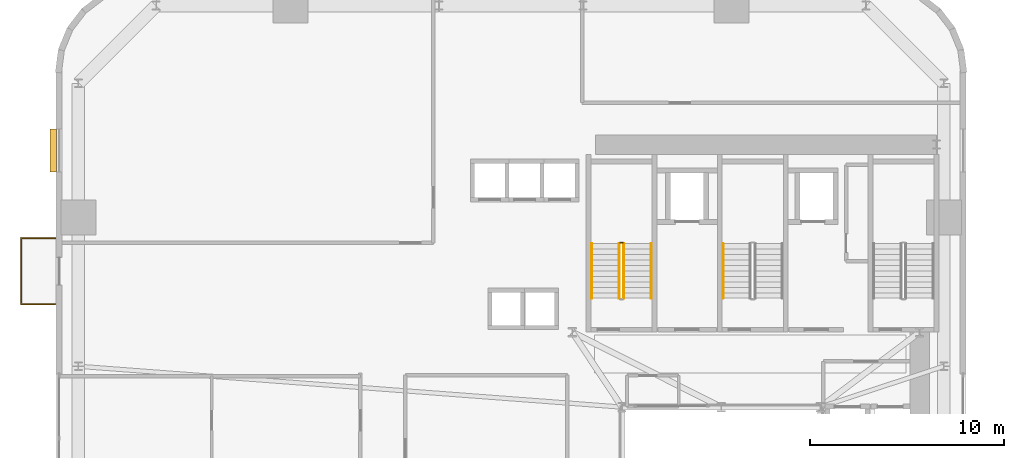
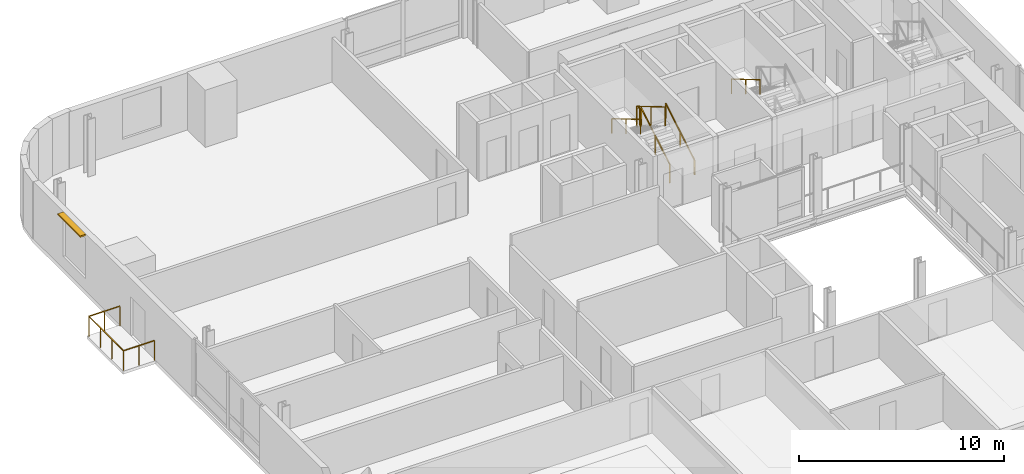
# One storey, part 12 of 13: 7 railings, 1 shading device.
"""IFC4 building model written with IfcOpenShell, lengths in metres."""

import ifcopenshell
import ifcopenshell.guid

model = None  # the IFC model being written
_history = None  # IfcOwnerHistory: only IFC2X3 demands one
_inside = {}  # id of a spatial element -> (the spatial element, [elements in it])
_under = {}  # id of a project, library or spatial element -> (it, [spatial elements below it])
_declared = {}  # id of a project -> (the project, [libraries it declares])
_typed = {}  # id of a type object -> (the type object, [elements of that type])
_made_of = {}  # id of a material, layer set ... -> (it, [elements and type objects made of it])


def new_model(schema):
    """Start an empty IFC model of exactly this schema.

    Asked for "IFC4X3", IfcOpenShell would pick the latest addendum, in which some entities
    have other attributes; the version numbers below select the first issue.
    IFC2X3 requires an IfcOwnerHistory on every rooted entity: one is made here for all.
    """
    global model, _history
    if schema == "IFC4X3":
        model = ifcopenshell.file(schema_version=(4, 3, 0, 0))
    else:
        model = ifcopenshell.file(schema=schema)
    _inside.clear()
    _under.clear()
    _declared.clear()
    _typed.clear()
    _made_of.clear()
    _history = None
    if model.schema == "IFC2X3":
        org = make("IfcOrganization", Name="unknown")
        user = make(
            "IfcPersonAndOrganization",
            ThePerson=make("IfcPerson", FamilyName="unknown"),
            TheOrganization=org,
        )
        app = make(
            "IfcApplication",
            ApplicationDeveloper=org,
            Version="unknown",
            ApplicationFullName="unknown",
            ApplicationIdentifier="unknown",
        )
        _history = make(
            "IfcOwnerHistory",
            OwningUser=user,
            OwningApplication=app,
            ChangeAction="ADDED",
            CreationDate=0,
        )
    return model


def make(cls, **values):
    """One entity of the class cls with the attributes given. An attribute that is None is left unset."""
    return model.create_entity(
        cls, **{name: value for name, value in values.items() if value is not None}
    )


def rooted(cls, **values):
    """An entity with a GlobalId (a new one), such as an element, a storey or a relation."""
    return make(cls, GlobalId=ifcopenshell.guid.new(), OwnerHistory=_history, **values)


def si_unit(unit_type, name, prefix=None):
    """IfcSIUnit, for example si_unit("LENGTHUNIT", "METRE", prefix="MILLI")."""
    return make("IfcSIUnit", UnitType=unit_type, Prefix=prefix, Name=name)


def assignment(units):
    """IfcUnitAssignment: the units of a project."""
    return None if units is None else make("IfcUnitAssignment", Units=units)


def point(xyz):
    """IfcCartesianPoint."""
    return None if xyz is None else make("IfcCartesianPoint", Coordinates=xyz)


def direction(xyz):
    """IfcDirection."""
    return None if xyz is None else make("IfcDirection", DirectionRatios=xyz)


def frame(location, z_axis=None, x_axis=None):
    """IfcAxis2Placement3D, a coordinate frame: its origin and axes. An axis left out is left unset."""
    return make(
        "IfcAxis2Placement3D",
        Location=point(location),
        Axis=direction(z_axis),
        RefDirection=direction(x_axis),
    )


def frame_2d(location, x_axis=None):
    """IfcAxis2Placement2D, a coordinate frame in the plane: its origin and x axis."""
    return make(
        "IfcAxis2Placement2D", Location=point(location), RefDirection=direction(x_axis)
    )


def origin():
    """The frame at (0, 0, 0) with its axes left unset."""
    return frame((0.0, 0.0, 0.0))


def origin_2d():
    """The frame at (0, 0) in the plane with its x axis left unset."""
    return frame_2d((0.0, 0.0))


def place(relative_to, where):
    """IfcLocalPlacement: puts the frame where relative to a parent placement (None: the world)."""
    return make(
        "IfcLocalPlacement", PlacementRelTo=relative_to, RelativePlacement=where
    )


def context(
    kind, dimensions, precision=None, world=None, true_north=None, identifier=None
):
    """IfcGeometricRepresentationContext, for example the 3D "Model" context."""
    return make(
        "IfcGeometricRepresentationContext",
        ContextIdentifier=identifier,
        ContextType=kind,
        CoordinateSpaceDimension=dimensions,
        Precision=precision,
        WorldCoordinateSystem=world,
        TrueNorth=true_north,
    )


def subcontext(parent, identifier, kind, view, scale=None):
    """IfcGeometricRepresentationSubContext, for example "Body" below "Model"."""
    return make(
        "IfcGeometricRepresentationSubContext",
        ContextIdentifier=identifier,
        ContextType=kind,
        ParentContext=parent,
        TargetScale=scale,
        TargetView=view,
    )


def project(units=None, contexts=None):
    """IfcProject with its units and contexts."""
    return rooted(
        "IfcProject",
        Name="project",
        RepresentationContexts=contexts,
        UnitsInContext=assignment(units),
    )


def spatial(cls, under=None, at=None, **own):
    """A site, building, storey or space (cls), placed at a placement, below another one or the project."""
    s = rooted(cls, ObjectPlacement=at, **own)
    if under is not None:
        _under.setdefault(under.id(), (under, []))[1].append(s)
    return s


def profile(cls, at=None, kind="AREA", **sizes):
    """A parametric profile (cls). Its sizes go by their IFC names, for example OverallWidth=200.0."""
    return make(cls, ProfileType=kind, Position=at, **sizes)


def rectangle(**sizes):
    """IfcRectangleProfileDef."""
    return profile("IfcRectangleProfileDef", **sizes)


def extrude(swept, where, along, depth):
    """IfcExtrudedAreaSolid: the profile swept, set in the frame where, extruded along a direction by depth."""
    return make(
        "IfcExtrudedAreaSolid",
        SweptArea=swept,
        Position=where,
        ExtrudedDirection=direction(along),
        Depth=depth,
    )


def shape(context_of_items, identifier, shape_type, items):
    """IfcShapeRepresentation: the items that make up one representation, for example the "Body"."""
    return make(
        "IfcShapeRepresentation",
        ContextOfItems=context_of_items,
        RepresentationIdentifier=identifier,
        RepresentationType=shape_type,
        Items=items,
    )


def source(mapping_origin, context_of_items, identifier, shape_type, items):
    """IfcRepresentationMap: a shape defined once, which mapped items show again and again."""
    return make(
        "IfcRepresentationMap",
        MappingOrigin=mapping_origin,
        MappedRepresentation=shape(context_of_items, identifier, shape_type, items),
    )


def transform(
    local_origin,
    x_axis=None,
    y_axis=None,
    z_axis=None,
    scale=None,
    scale2=None,
    scale3=None,
    uniform=True,
):
    """IfcCartesianTransformationOperator3D, or its non-uniform kind. x_axis, y_axis, z_axis: its Axis1, 2, 3."""
    if uniform:
        return make(
            "IfcCartesianTransformationOperator3D",
            Axis1=direction(x_axis),
            Axis2=direction(y_axis),
            LocalOrigin=point(local_origin),
            Scale=scale,
            Axis3=direction(z_axis),
        )
    return make(
        "IfcCartesianTransformationOperator3DnonUniform",
        Axis1=direction(x_axis),
        Axis2=direction(y_axis),
        LocalOrigin=point(local_origin),
        Scale=scale,
        Axis3=direction(z_axis),
        Scale2=scale2,
        Scale3=scale3,
    )


def mapped(mapping_source, mapping_target):
    """IfcMappedItem: shows the shape of a source again, moved by a transform."""
    return make(
        "IfcMappedItem", MappingSource=mapping_source, MappingTarget=mapping_target
    )


def material(Name=None, Category=None):
    """IfcMaterial."""
    return make("IfcMaterial", Name=Name, Category=Category)


def layer(
    of_material, thickness, ventilated=None, Name=None, Category=None, Priority=None
):
    """IfcMaterialLayer: one layer of a wall or slab, of a material (None: an air gap)."""
    return make(
        "IfcMaterialLayer",
        Material=of_material,
        LayerThickness=thickness,
        IsVentilated=ventilated,
        Name=Name,
        Category=Category,
        Priority=Priority,
    )


def layer_set(layers, Name=None):
    """IfcMaterialLayerSet."""
    return make("IfcMaterialLayerSet", MaterialLayers=layers, LayerSetName=Name)


def made_of(thing, what):
    """Note that an element or type object is made of a material, layer set ...; save() writes the relation."""
    if what is not None:
        _made_of.setdefault(what.id(), (what, []))[1].append(thing)
    return thing


def type_object(cls, material=None, **own):
    """A type object (cls), such as IfcWallType, which elements share."""
    return made_of(rooted(cls, **own), material)


def element(
    cls,
    number,
    at=None,
    inside=None,
    cuts=None,
    type_object=None,
    material=None,
    context=None,
    identifier="Body",
    shape_type=None,
    held_by="IfcProductDefinitionShape",
    body=None,
    shapes=None,
    **own,
):
    """One element of the class cls, such as IfcWall. Its Tag is "e" and its number.

    at: its placement. inside: the storey or other place that contains it. cuts: it is an
    opening in that element (IfcRelVoidsElement). A single representation is given by context,
    identifier, shape_type and body (its items); several are given by shapes. held_by: the class
    of the entity that holds the representations. save() writes the other relations.
    """
    e = rooted(cls, Tag="e%d" % number, ObjectPlacement=at, **own)
    if body is not None:
        shapes = [shape(context, identifier, shape_type, body)]
    if shapes is not None:
        e.Representation = make(held_by, Representations=shapes)
    if inside is not None:
        _inside.setdefault(inside.id(), (inside, []))[1].append(e)
    if cuts is not None:
        rooted(
            "IfcRelVoidsElement", RelatingBuildingElement=cuts, RelatedOpeningElement=e
        )
    if type_object is not None:
        _typed.setdefault(type_object.id(), (type_object, []))[1].append(e)
    return made_of(e, material)


def aggregate(whole, parts):
    """IfcRelAggregates: a whole, such as a stair, and the parts it consists of."""
    return rooted("IfcRelAggregates", RelatingObject=whole, RelatedObjects=parts)


def save(model, path):
    """Write the relations noted so far, then the file.

    IfcRelAggregates (storeys below a building ...), IfcRelContainedInSpatialStructure (elements
    in a storey), IfcRelDefinesByType, IfcRelAssociatesMaterial and IfcRelDeclares: one each for
    every whole, place, type object, material and project.
    """
    for whole, parts in _under.values():
        aggregate(whole, parts)
    for where, things in _inside.values():
        rooted(
            "IfcRelContainedInSpatialStructure",
            RelatedElements=things,
            RelatingStructure=where,
        )
    for kind, things in _typed.values():
        rooted("IfcRelDefinesByType", RelatedObjects=things, RelatingType=kind)
    for what, things in _made_of.values():
        rooted("IfcRelAssociatesMaterial", RelatedObjects=things, RelatingMaterial=what)
    for by, libraries in _declared.values():
        rooted("IfcRelDeclares", RelatingContext=by, RelatedDefinitions=libraries)
    model.write(path)


model = new_model("IFC4")

# Units and contexts
model_context = context("Model", 3, precision=1e-05, world=origin(), true_north=direction((0.0, 1.0)))
body_context = subcontext(model_context, "Body", "Model", "MODEL_VIEW")
ifc_project = project(units=[si_unit("LENGTHUNIT", "METRE"), si_unit("AREAUNIT", "SQUARE_METRE"), si_unit("VOLUMEUNIT", "CUBIC_METRE"), si_unit("PLANEANGLEUNIT", "RADIAN"), si_unit("MASSUNIT", "GRAM", prefix="KILO")], contexts=[model_context])

# Site, building, storey
site_placement = place(None, origin())
site = spatial("IfcSite", under=ifc_project, at=site_placement, CompositionType="ELEMENT")
building_placement = place(site_placement, origin())
building = spatial("IfcBuilding", under=site, at=building_placement, Name="Vardaveli Station Tower", CompositionType="ELEMENT")
storey_placement = place(building_placement, frame((0.0, 0.0, 31.25)))
storey = spatial("IfcBuildingStorey", under=building, at=storey_placement, Name="L07", CompositionType="ELEMENT", Elevation=31.25)

# Railing
ifc_material_1 = material(Name="Laminated glass and stainless steel balustrade", Category="steel")
railing_type_1 = type_object("IfcRailingType", Name="RL-BAL-1200", PredefinedType="BALUSTRADE", material=ifc_material_1)
shared_shape_1 = source(origin(), body_context, "Body", "SweptSolid", [
    extrude(rectangle(XDim=0.048095703125, YDim=0.048095703125, at=origin_2d()), frame((0.0, 0.0, 1.17578125), z_axis=(-1.0, 0.0, 0.0), x_axis=(0.0, -1.0, 0.0)), (0.0, 0.0, 1.0), 1.75),
    extrude(rectangle(XDim=0.048095703125, YDim=0.048095703125, at=origin_2d()), frame((-1.75, 0.0, 1.17578125), z_axis=(0.0, 1.0, 0.0), x_axis=(-1.0, 0.0, 0.0)), (0.0, 0.0, 1.0), 3.3798828125),
    extrude(rectangle(XDim=0.048095703125, YDim=0.048095703125, at=origin_2d()), frame((-1.75, 3.3798828125, 1.17578125), z_axis=(1.0, 0.0, 0.0), x_axis=(0.0, 1.0, 0.0)), (0.0, 0.0, 1.0), 1.75),
    extrude(rectangle(XDim=0.0419921875, YDim=0.0419921875, at=origin_2d()), origin(), (0.0, 0.0, 1.0), 1.15185546875),
    extrude(rectangle(XDim=0.0419921875, YDim=0.0419921875, at=origin_2d()), frame((-0.875, 0.0, 0.0)), (0.0, 0.0, 1.0), 1.15185546875),
    extrude(rectangle(XDim=0.0419921875, YDim=0.0419921875, at=origin_2d()), frame((-1.75, 0.0, 0.0)), (0.0, 0.0, 1.0), 1.15185546875),
    extrude(rectangle(XDim=0.0419921875, YDim=0.0419921875, at=origin_2d()), frame((-1.75, 1.126708984375, 0.0)), (0.0, 0.0, 1.0), 1.15185546875),
    extrude(rectangle(XDim=0.0419921875, YDim=0.0419921875, at=origin_2d()), frame((-1.75, 2.253173828125, 0.0)), (0.0, 0.0, 1.0), 1.15185546875),
    extrude(rectangle(XDim=0.0419921875, YDim=0.0419921875, at=origin_2d()), frame((-1.75, 3.3798828125, 0.0)), (0.0, 0.0, 1.0), 1.15185546875),
    extrude(rectangle(XDim=0.0419921875, YDim=0.0419921875, at=origin_2d()), frame((-0.875, 3.3798828125, 0.0)), (0.0, 0.0, 1.0), 1.15185546875),
    extrude(rectangle(XDim=0.0419921875, YDim=0.0419921875, at=origin_2d()), frame((0.0, 3.3798828125, 0.0)), (0.0, 0.0, 1.0), 1.15185546875),
])
railing_1_placement = place(storey_placement, frame((2.06005859375, 32.099609375, 0.0)))
element("IfcRailing", 1, at=railing_1_placement, inside=storey, type_object=railing_type_1, Name="RL-LOG-L07-03", PredefinedType="BALUSTRADE", context=body_context, shape_type="MappedRepresentation", body=[
    mapped(shared_shape_1, transform((0.0, 0.0, 0.0), scale=1.0)),
])

# Shading device
ifc_material_2 = material(Name="Anodised champagne aluminium sunshade", Category="aluminium")
ifc_layer = layer(ifc_material_2, 0.090087890625, Name="Anodised champagne aluminium sunshade")
ifc_layer_set = layer_set([ifc_layer], Name="Anodised champagne aluminium sunshade")
shading_device_type = type_object("IfcShadingDeviceType", Name="SHD-SUNSHADE", PredefinedType="USERDEFINED", material=ifc_layer_set)
shared_shape_2 = source(origin(), body_context, "Body", "SweptSolid", [
    extrude(rectangle(XDim=2.199951171875, YDim=0.320068359375, at=origin_2d()), origin(), (0.0, 0.0, 1.0), 0.090087890625),
])
shading_device_placement = place(storey_placement, frame((1.955078125, 39.9951171875, 3.2900390625), z_axis=(0.0, 0.0, 1.0), x_axis=(0.0, 1.0, 0.0)))
element("IfcShadingDevice", 2, at=shading_device_placement, inside=storey, type_object=shading_device_type, Name="SHD-SS-L07-W", ObjectType="SUNSHADE", PredefinedType="USERDEFINED", context=body_context, shape_type="MappedRepresentation", body=[
    mapped(shared_shape_2, transform((0.0, 0.0, 0.0), scale=1.0)),
])

# Railings
ifc_material_3 = material(Name="Brushed AISI 316 stainless steel", Category="steel")
railing_type_2 = type_object("IfcRailingType", Name="RL-GUARD-1150", PredefinedType="GUARDRAIL", material=ifc_material_3)
shared_shape_3 = source(origin(), body_context, "Body", "SweptSolid", [
    extrude(rectangle(XDim=0.048095703125, YDim=0.048095703125, at=origin_2d()), frame((0.0, 0.0, 1.1259765625), z_axis=(-1.0, 0.0, 0.0), x_axis=(0.0, -1.0, 0.0)), (0.0, 0.0, 1.0), 0.14990234375),
    extrude(rectangle(XDim=0.0419921875, YDim=0.0419921875, at=origin_2d()), origin(), (0.0, 0.0, 1.0), 1.101806640625),
    extrude(rectangle(XDim=0.0419921875, YDim=0.0419921875, at=origin_2d()), frame((-0.14990234375, 0.0, 0.0)), (0.0, 0.0, 1.0), 1.101806640625),
])
railing_2_placement = place(storey_placement, frame((31.25, 35.25, 1.824951171875)))
element("IfcRailing", 3, at=railing_2_placement, inside=storey, type_object=railing_type_2, Name="L07 ST-1 stair guard 2", PredefinedType="GUARDRAIL", context=body_context, shape_type="MappedRepresentation", body=[
    mapped(shared_shape_3, transform((0.0, 0.0, 0.0), scale=1.0)),
])
shared_shape_4 = source(origin(), body_context, "Body", "SweptSolid", [
    extrude(rectangle(XDim=0.048095703125, YDim=0.048095703125, at=origin_2d()), frame((0.0, 0.0, 1.1259765625), z_axis=(0.0, 0.860339051648, 0.50972219513), x_axis=(-1.0, 0.0, 0.0)), (0.0, 0.0, 1.0), 3.254638671875),
    extrude(rectangle(XDim=0.0419921875, YDim=0.0419921875, at=origin_2d()), origin(), (0.0, 0.0, 1.0), 1.101806640625),
    extrude(rectangle(XDim=0.0419921875, YDim=0.0419921875, at=origin_2d()), frame((0.0, 1.39990234375, 0.82958984375)), (0.0, 0.0, 1.0), 1.101806640625),
    extrude(rectangle(XDim=0.0419921875, YDim=0.0419921875, at=origin_2d()), frame((0.0, 2.800048828125, 1.658935546875)), (0.0, 0.0, 1.0), 1.101806640625),
])
railing_3_placement = place(storey_placement, frame((31.300048828125, 32.39990234375, 0.166015625)))
element("IfcRailing", 4, at=railing_3_placement, inside=storey, type_object=railing_type_2, Name="L07 ST-1 stair guard 1", PredefinedType="GUARDRAIL", context=body_context, shape_type="MappedRepresentation", body=[
    mapped(shared_shape_4, transform((0.0, 0.0, 0.0), scale=1.0)),
])
shared_shape_5 = source(origin(), body_context, "Body", "SweptSolid", [
    extrude(rectangle(XDim=0.048095703125, YDim=0.048095703125, at=origin_2d()), frame((0.0, 0.0, 1.1259765625), z_axis=(0.0, -0.860339051648, 0.50972219513), x_axis=(1.0, 0.0, 0.0)), (0.0, 0.0, 1.0), 3.254638671875),
    extrude(rectangle(XDim=0.0419921875, YDim=0.0419921875, at=origin_2d()), origin(), (0.0, 0.0, 1.0), 1.101806640625),
    extrude(rectangle(XDim=0.0419921875, YDim=0.0419921875, at=origin_2d()), frame((0.0, -1.39990234375, 0.82958984375)), (0.0, 0.0, 1.0), 1.101806640625),
    extrude(rectangle(XDim=0.0419921875, YDim=0.0419921875, at=origin_2d()), frame((0.0, -2.800048828125, 1.658935546875)), (0.0, 0.0, 1.0), 1.101806640625),
])
railing_4_placement = place(storey_placement, frame((31.050048828125, 35.199951171875, 1.990966796875)))
element("IfcRailing", 5, at=railing_4_placement, inside=storey, type_object=railing_type_2, Name="L07 ST-1 stair guard 3", PredefinedType="GUARDRAIL", context=body_context, shape_type="MappedRepresentation", body=[
    mapped(shared_shape_5, transform((0.0, 0.0, 0.0), scale=1.0)),
])
railing_type_3 = type_object("IfcRailingType", Name="RL-HAND-900", PredefinedType="HANDRAIL", material=ifc_material_3)
shared_shape_6 = source(origin(), body_context, "Body", "SweptSolid", [
    extrude(rectangle(XDim=0.048095703125, YDim=0.048095703125, at=origin_2d()), frame((0.0, 0.0, 0.8759765625), z_axis=(0.0, 0.860339051648, 0.50972219513), x_axis=(-1.0, 0.0, 0.0)), (0.0, 0.0, 1.0), 3.254638671875),
    extrude(rectangle(XDim=0.0419921875, YDim=0.0419921875, at=origin_2d()), origin(), (0.0, 0.0, 1.0), 0.851806640625),
    extrude(rectangle(XDim=0.0419921875, YDim=0.0419921875, at=origin_2d()), frame((0.0, 1.39990234375, 0.82958984375)), (0.0, 0.0, 1.0), 0.851806640625),
    extrude(rectangle(XDim=0.0419921875, YDim=0.0419921875, at=origin_2d()), frame((0.0, 2.800048828125, 1.658935546875)), (0.0, 0.0, 1.0), 0.851806640625),
])
railing_5_placement = place(storey_placement, frame((32.699951171875, 32.39990234375, 0.166015625)))
element("IfcRailing", 6, at=railing_5_placement, inside=storey, type_object=railing_type_3, Name="L07 ST-1 stair handrail 1", PredefinedType="HANDRAIL", context=body_context, shape_type="MappedRepresentation", body=[
    mapped(shared_shape_6, transform((0.0, 0.0, 0.0), scale=1.0)),
])
shared_shape_7 = source(origin(), body_context, "Body", "SweptSolid", [
    extrude(rectangle(XDim=0.048095703125, YDim=0.048095703125, at=origin_2d()), frame((0.0, 0.0, 0.8759765625), z_axis=(0.0, -0.860339051648, 0.50972219513), x_axis=(1.0, 0.0, 0.0)), (0.0, 0.0, 1.0), 3.254638671875),
    extrude(rectangle(XDim=0.0419921875, YDim=0.0419921875, at=origin_2d()), origin(), (0.0, 0.0, 1.0), 0.851806640625),
    extrude(rectangle(XDim=0.0419921875, YDim=0.0419921875, at=origin_2d()), frame((0.0, -1.39990234375, 0.82958984375)), (0.0, 0.0, 1.0), 0.851806640625),
    extrude(rectangle(XDim=0.0419921875, YDim=0.0419921875, at=origin_2d()), frame((0.0, -2.800048828125, 1.658935546875)), (0.0, 0.0, 1.0), 0.851806640625),
])
for number, where, name in (
    (7, (29.64990234375, 35.199951171875, 1.990966796875), "L07 ST-1 stair handrail 2"),
    (8, (36.39990234375, 35.199951171875, 1.990966796875), "L07 ST-2 stair handrail 2"),
):
    element("IfcRailing", number, at=place(storey_placement, frame(where)), inside=storey, type_object=railing_type_3, Name=name, PredefinedType="HANDRAIL", context=body_context, shape_type="MappedRepresentation", body=[
        mapped(shared_shape_7, transform((0.0, 0.0, 0.0), scale=1.0)),
    ])

save(model, "model.ifc")
